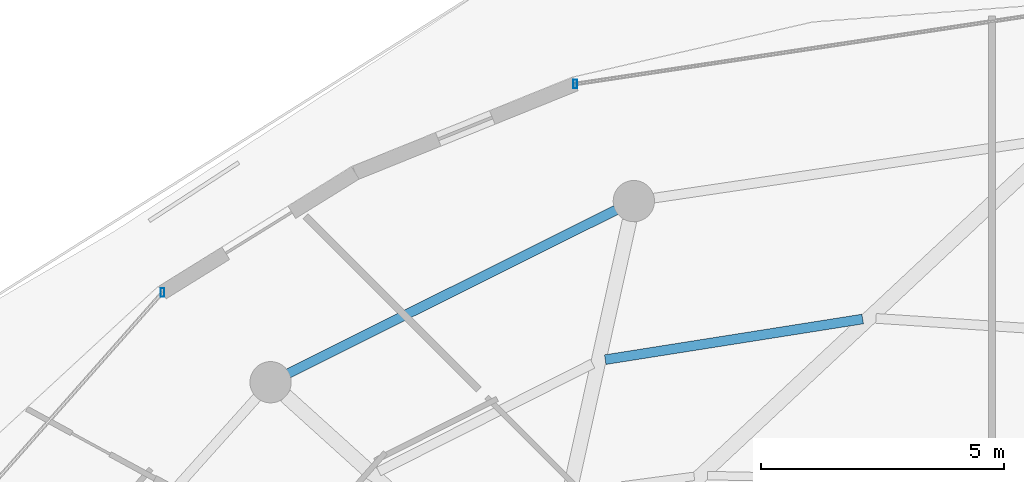
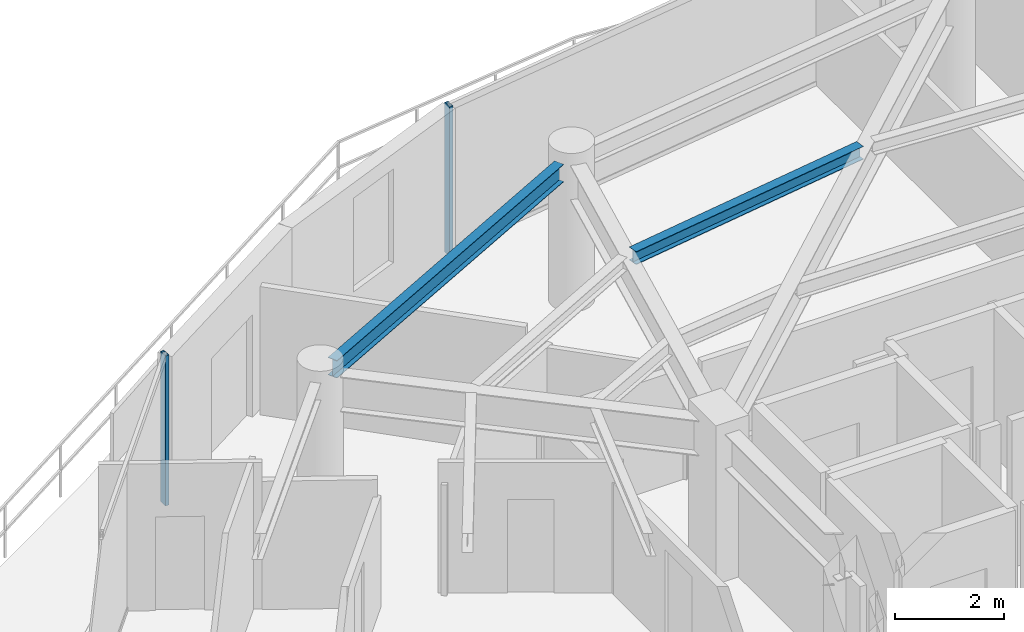
# One storey, part 16 of 29: 2 beams, 2 members, 2 elements without a shape of their own.
"""IFC4 building model written with IfcOpenShell, lengths in metres."""

from ifc_helpers import new_model, si_unit, direction, frame, origin, origin_2d, place, context, subcontext, project, spatial, hollow_rectangle, i_section, extrude, material, material_profile, profile_set, type_object, element, aggregate, save


model = new_model("IFC4")

# Units and contexts
model_context = context("Model", 3, precision=1e-05, world=origin(), true_north=direction((0.0, 1.0)))
body_context = subcontext(model_context, "Body", "Model", "MODEL_VIEW")
ifc_project = project(units=[si_unit("LENGTHUNIT", "METRE"), si_unit("AREAUNIT", "SQUARE_METRE"), si_unit("VOLUMEUNIT", "CUBIC_METRE"), si_unit("PLANEANGLEUNIT", "RADIAN"), si_unit("MASSUNIT", "GRAM", prefix="KILO")], contexts=[model_context])

# Site, building, storey
site_placement = place(None, origin())
site = spatial("IfcSite", under=ifc_project, at=site_placement, CompositionType="ELEMENT")
building_placement = place(site_placement, origin())
building = spatial("IfcBuilding", under=site, at=building_placement, Name="Vorneva Point Tower", CompositionType="ELEMENT")
storey_placement = place(building_placement, frame((0.0, 0.0, 273.300048828125)))
storey = spatial("IfcBuildingStorey", under=building, at=storey_placement, Name="L74", CompositionType="ELEMENT", Elevation=273.300048828125)

# Beams
ifc_material_1 = material(Name="Steel S355", Category="steel")
ifc_material_profile_1 = material_profile(ifc_material_1, i_section(OverallWidth=0.199951171875, OverallDepth=0.291015625, WebThickness=0.008056640625, FlangeThickness=0.010986328125, at=origin_2d()), Name="30Sh1")
ifc_profile_set_1 = profile_set([ifc_material_profile_1], Name="Steel S355")
beam_type_1 = type_object("IfcBeamType", Name="BM-SEC-30Sh1", PredefinedType="BEAM", material=ifc_profile_set_1)
beam_1_placement = place(storey_placement, frame((33.889892578125, 39.463623046875, 3.14453125), z_axis=(-0.987765916795, -0.15594387971, 0.0), x_axis=(0.15594387971, -0.987765916795, 0.0)))
element("IfcBeam", 1, at=beam_1_placement, inside=storey, type_object=beam_type_1, Name="L74 Secondary Floor Beam 1.05", PredefinedType="BEAM", context=body_context, shape_type="SweptSolid", body=[
    extrude(i_section(OverallWidth=0.199951171875, OverallDepth=0.291015625, WebThickness=0.008056640625, FlangeThickness=0.010986328125, at=origin_2d()), origin(), (0.0, 0.0, 1.0), 5.365234375),
])
ifc_material_profile_2 = material_profile(ifc_material_1, i_section(OverallWidth=0.198974609375, OverallDepth=0.39599609375, WebThickness=0.007080078125, FlangeThickness=0.010986328125, at=origin_2d()), Name="40B1")
ifc_profile_set_2 = profile_set([ifc_material_profile_2], Name="Steel S355")
beam_type_2 = type_object("IfcBeamType", Name="BM-SPN-40B1", PredefinedType="SPANDREL", material=ifc_profile_set_2)
beam_2_placement = place(storey_placement, frame((28.812255859375, 41.707763671875, 3.092041015625), z_axis=(-0.894932011528, -0.446202526599, 0.0), x_axis=(0.446202526599, -0.894932011528, 0.0)))
element("IfcBeam", 2, at=beam_2_placement, inside=storey, type_object=beam_type_2, Name="L74 Perimeter Spandrel Ring Beam 06", PredefinedType="SPANDREL", context=body_context, shape_type="SweptSolid", body=[
    extrude(i_section(OverallWidth=0.198974609375, OverallDepth=0.39599609375, WebThickness=0.007080078125, FlangeThickness=0.010986328125, at=origin_2d()), origin(), (0.0, 0.0, 1.0), 7.535888671875),
])

# Curtain wall, member
ifc_material_2 = material(Name="Pale anodised aluminium", Category="aluminium")
curtain_wall_type = type_object("IfcCurtainWallType", Name="CW-RES-SYS", PredefinedType="NOTDEFINED", material=ifc_material_2)
curtain_wall_1_placement = place(storey_placement, origin())
curtain_wall_1 = element("IfcCurtainWall", 3, at=curtain_wall_1_placement, inside=storey, type_object=curtain_wall_type, Name="L74 Unitised Curtain Wall CW-L74-R02", PredefinedType="NOTDEFINED")
ifc_material_profile_3 = material_profile(ifc_material_2, hollow_rectangle(XDim=0.074951171875, YDim=0.179931640625, WallThickness=0.00390625, at=origin_2d()), Name="AL-MUL 180x75x4")
ifc_profile_set_3 = profile_set([ifc_material_profile_3], Name="Pale anodised aluminium")
member_type = type_object("IfcMemberType", Name="CW-MUL-180", PredefinedType="MULLION", material=ifc_profile_set_3)
member_1_placement = place(storey_placement, frame((27.9736328125, 44.302001953125, -0.0400390625), z_axis=(0.0, 0.0, 1.0), x_axis=(1.0, 0.0, 0.0)))
member_1 = element("IfcMember", 4, at=member_1_placement, type_object=member_type, Name="CW-L74-R02 Mullion 04", PredefinedType="MULLION", context=body_context, shape_type="SweptSolid", body=[
    extrude(hollow_rectangle(XDim=0.074951171875, YDim=0.179931640625, WallThickness=0.00390625, at=origin_2d()), origin(), (0.0, 0.0, 1.0), 3.360107421875),
])
aggregate(curtain_wall_1, [member_1])

curtain_wall_2_placement = place(storey_placement, origin())
curtain_wall_2 = element("IfcCurtainWall", 5, at=curtain_wall_2_placement, inside=storey, type_object=curtain_wall_type, Name="L74 Unitised Curtain Wall CW-L74-R03", PredefinedType="NOTDEFINED")
member_2_placement = place(storey_placement, frame((19.473876953125, 40.0078125, -0.0400390625), z_axis=(0.0, 0.0, 1.0), x_axis=(1.0, 0.0, 0.0)))
member_2 = element("IfcMember", 6, at=member_2_placement, type_object=member_type, Name="CW-L74-R03 Mullion 01", PredefinedType="MULLION", context=body_context, shape_type="SweptSolid", body=[
    extrude(hollow_rectangle(XDim=0.074951171875, YDim=0.179931640625, WallThickness=0.00390625, at=origin_2d()), origin(), (0.0, 0.0, 1.0), 3.360107421875),
])
aggregate(curtain_wall_2, [member_2])

save(model, "model.ifc")
